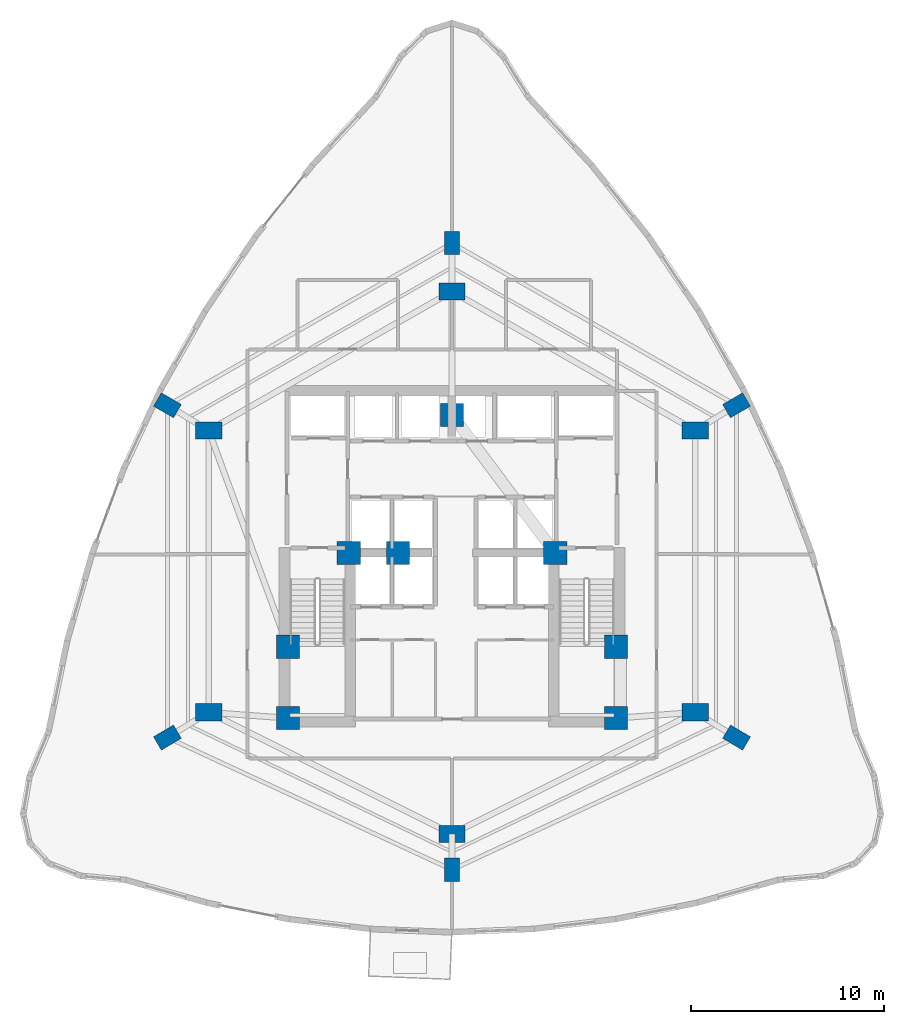
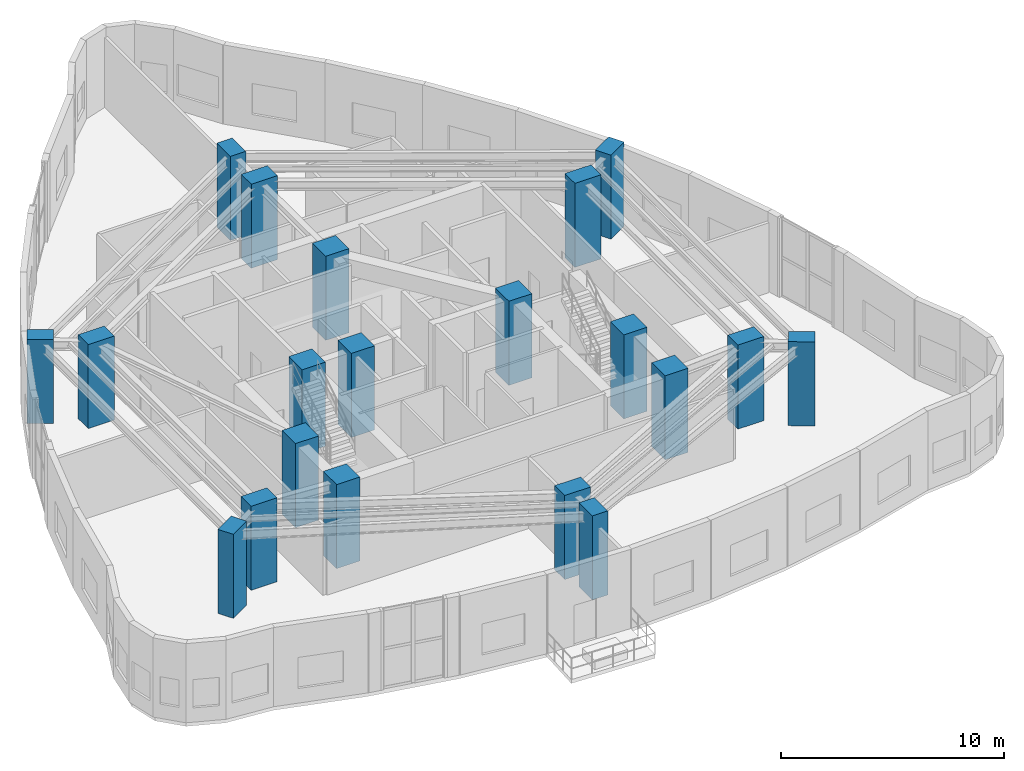
# One storey, part 1 of 17: 20 columns.
"""IFC4 building model written with IfcOpenShell, lengths in metres."""

from ifc_helpers import new_model, si_unit, direction, frame, origin, origin_2d, place, context, subcontext, project, spatial, rectangle, extrude, material, material_profile, profile_set, type_object, element, save


model = new_model("IFC4")

# Units and contexts
model_context = context("Model", 3, precision=1e-05, world=origin(), true_north=direction((0.0, 1.0)))
body_context = subcontext(model_context, "Body", "Model", "MODEL_VIEW")
ifc_project = project(units=[si_unit("LENGTHUNIT", "METRE"), si_unit("AREAUNIT", "SQUARE_METRE"), si_unit("VOLUMEUNIT", "CUBIC_METRE"), si_unit("PLANEANGLEUNIT", "RADIAN"), si_unit("MASSUNIT", "GRAM", prefix="KILO")], contexts=[model_context])

# Site, building, storey
site_placement = place(None, origin())
site = spatial("IfcSite", under=ifc_project, at=site_placement, CompositionType="ELEMENT")
building_placement = place(site_placement, origin())
building = spatial("IfcBuilding", under=site, at=building_placement, Name="Miruveldt Soraemaru", CompositionType="ELEMENT")
storey_placement = place(building_placement, frame((0.0, 0.0, 95.800048828125)))
storey = spatial("IfcBuildingStorey", under=building, at=storey_placement, Name="L26", CompositionType="ELEMENT", Elevation=95.800048828125)

# Columns
ifc_material = material(Name="Concrete C70/85 (70 MPa)", Category="concrete")
ifc_material_profile_1 = material_profile(ifc_material, rectangle(XDim=1.199951171875, YDim=1.199951171875, at=origin_2d()), Name="Concrete C70/85 (70 MPa)", Category="concrete")
ifc_profile_set_1 = profile_set([ifc_material_profile_1], Name="Concrete C70/85 (70 MPa)")
column_type_1 = type_object("IfcColumnType", Name="COL-CORE-1200", PredefinedType="COLUMN", material=ifc_profile_set_1)
for number, where, z_axis, x_axis, name in (
    (1, (35.5, 35.5, 0.0), (0.0, 0.0, 1.0), (1.0, 0.0, 0.0), "L26 Structural Column CC1"),
    (2, (38.64990234375, 44.050048828125, 0.0), (0.0, 0.0, 1.0), (1.0, 0.0, 0.0), "L26 Structural Column CC2"),
    (3, (52.5, 35.5, 0.0), (0.0, 0.0, 1.0), (1.0, 0.0, 0.0), "L26 Structural Column CC3"),
    (4, (52.5, 39.199951171875, 0.0), (0.0, 0.0, 1.0), (1.0, 0.0, 0.0), "L26 Structural Column CC4"),
    (5, (49.35009765625, 44.050048828125, 0.0), (0.0, 0.0, 1.0), (1.0, 0.0, 0.0), "L26 Structural Column CC5"),
    (6, (44.0, 51.199951171875, 0.0), (0.0, 0.0, 1.0), (1.0, 0.0, 0.0), "L26 Structural Column CC6"),
    (7, (35.5, 39.199951171875, 0.0), (0.0, 0.0, 1.0), (1.0, 0.0, 0.0), "L26 Structural Column CC7"),
    (8, (41.199951171875, 44.050048828125, 0.0), (0.0, 0.0, 1.0), (1.0, 0.0, 0.0), "L26 Structural Column CC8"),
):
    element("IfcColumn", number, at=place(storey_placement, frame(where, z_axis=z_axis, x_axis=x_axis)), inside=storey, type_object=column_type_1, Name=name, PredefinedType="COLUMN", context=body_context, shape_type="SweptSolid", body=[
        extrude(rectangle(XDim=1.199951171875, YDim=1.199951171875, at=origin_2d()), origin(), (0.0, 0.0, 1.0), 4.599853515625),
    ])
ifc_material_profile_2 = material_profile(ifc_material, rectangle(XDim=1.35009765625, YDim=0.89990234375, at=origin_2d()), Name="Concrete C70/85 (70 MPa)", Category="concrete")
ifc_profile_set_2 = profile_set([ifc_material_profile_2], Name="Concrete C70/85 (70 MPa)")
column_type_2 = type_object("IfcColumnType", Name="COL-TW-Z1B", PredefinedType="COLUMN", material=ifc_profile_set_2)
for number, where, z_axis, x_axis, name in (
    (9, (44.0, 57.60009765625, 0.0), (0.0, 0.0, 1.0), (1.0, 0.0, 0.0), "L26 Structural Column IR01"),
    (10, (56.60009765625, 50.39990234375, 0.0), (0.0, 0.0, 1.0), (1.0, 0.0, 0.0), "L26 Structural Column IR02"),
    (11, (56.60009765625, 35.800048828125, 0.0), (0.0, 0.0, 1.0), (1.0, 0.0, 0.0), "L26 Structural Column IR03"),
    (12, (44.0, 29.5, 0.0), (0.0, 0.0, 1.0), (1.0, 0.0, 0.0), "L26 Structural Column IR04"),
    (13, (31.39990234375, 35.800048828125, 0.0), (0.0, 0.0, 1.0), (1.0, 0.0, 0.0), "L26 Structural Column IR05"),
    (14, (31.39990234375, 50.39990234375, 0.0), (0.0, 0.0, 1.0), (1.0, 0.0, 0.0), "L26 Structural Column IR06"),
):
    element("IfcColumn", number, at=place(storey_placement, frame(where, z_axis=z_axis, x_axis=x_axis)), inside=storey, type_object=column_type_2, Name=name, PredefinedType="COLUMN", context=body_context, shape_type="SweptSolid", body=[
        extrude(rectangle(XDim=1.35009765625, YDim=0.89990234375, at=origin_2d()), origin(), (0.0, 0.0, 1.0), 4.599853515625),
    ])
ifc_material_profile_3 = material_profile(ifc_material, rectangle(XDim=1.199951171875, YDim=0.800048828125, at=origin_2d()), Name="Concrete C70/85 (70 MPa)", Category="concrete")
ifc_profile_set_3 = profile_set([ifc_material_profile_3], Name="Concrete C70/85 (70 MPa)")
column_type_3 = type_object("IfcColumnType", Name="COL-TW-Z2", PredefinedType="COLUMN", material=ifc_profile_set_3)
for number, where, z_axis, x_axis, name in (
    (15, (44.0, 60.10595703125, 0.0), (0.0, 0.0, 1.0), (0.0, 1.0, 0.0), "L26 Structural Column Z2P01"),
    (16, (58.739990234375, 51.705078125, 0.0), (0.0, 0.0, 1.0), (0.866025403784, 0.5, 0.0), "L26 Structural Column Z2P02"),
    (17, (58.739990234375, 34.4951171875, 0.0), (0.0, 0.0, 1.0), (-0.860742027004, 0.50904141575, 0.0), "L26 Structural Column Z2P03"),
    (18, (44.0, 27.64697265625, 0.0), (0.0, 0.0, 1.0), (0.0, 1.0, 0.0), "L26 Structural Column Z2P04"),
    (19, (29.260009765625, 34.4951171875, 0.0), (0.0, 0.0, 1.0), (0.860742027004, 0.50904141575, 0.0), "L26 Structural Column Z2P05"),
    (20, (29.260009765625, 51.705078125, 0.0), (0.0, 0.0, 1.0), (-0.866025403784, 0.5, 0.0), "L26 Structural Column Z2P06"),
):
    element("IfcColumn", number, at=place(storey_placement, frame(where, z_axis=z_axis, x_axis=x_axis)), inside=storey, type_object=column_type_3, Name=name, PredefinedType="COLUMN", context=body_context, shape_type="SweptSolid", body=[
        extrude(rectangle(XDim=1.199951171875, YDim=0.800048828125, at=origin_2d()), origin(), (0.0, 0.0, 1.0), 4.599853515625),
    ])

save(model, "model.ifc")
